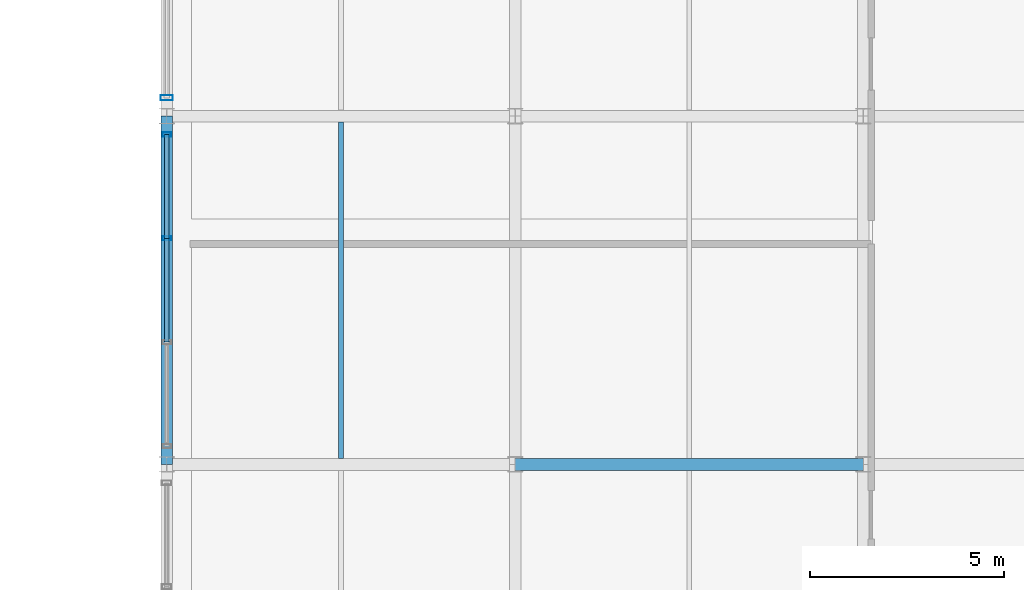
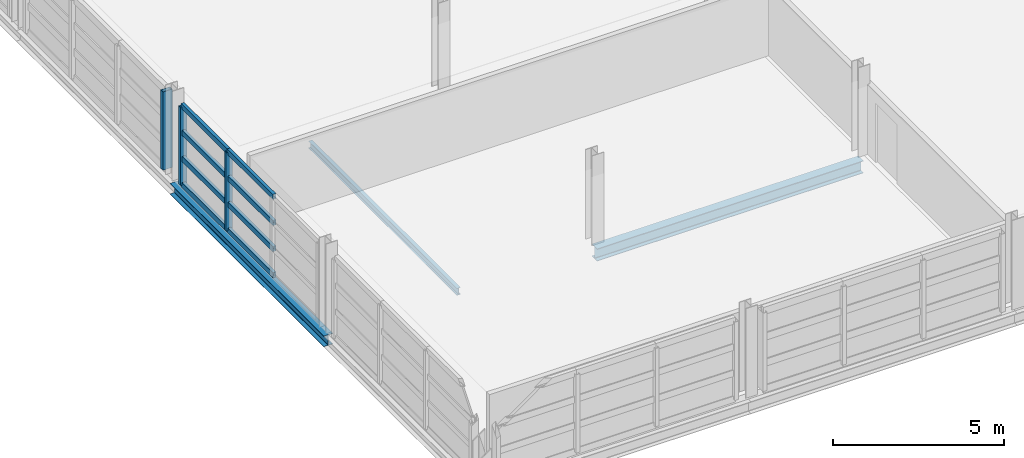
# One storey, part 40 of 86: 11 members, 3 beams, 2 elements without a shape of their own.
"""IFC4 building model written with IfcOpenShell, lengths in metres."""

from ifc_helpers import new_model, si_unit, direction, frame, origin, origin_2d, place, context, subcontext, project, spatial, hollow_rectangle, i_section, extrude, material, material_profile, profile_set, type_object, element, aggregate, save


model = new_model("IFC4")

# Units and contexts
model_context = context("Model", 3, precision=1e-05, world=origin(), true_north=direction((0.0, 1.0)))
body_context = subcontext(model_context, "Body", "Model", "MODEL_VIEW")
ifc_project = project(units=[si_unit("LENGTHUNIT", "METRE"), si_unit("AREAUNIT", "SQUARE_METRE"), si_unit("VOLUMEUNIT", "CUBIC_METRE"), si_unit("PLANEANGLEUNIT", "RADIAN"), si_unit("MASSUNIT", "GRAM", prefix="KILO")], contexts=[model_context])

# Site, building, storey
site_placement = place(None, origin())
site = spatial("IfcSite", under=ifc_project, at=site_placement, CompositionType="ELEMENT")
building_placement = place(site_placement, origin())
building = spatial("IfcBuilding", under=site, at=building_placement, Name="Chuanluo Vaults Station", CompositionType="ELEMENT")
storey_placement = place(building_placement, frame((0.0, 0.0, 14.39990234375)))
storey = spatial("IfcBuildingStorey", under=building, at=storey_placement, Name="L03", CompositionType="ELEMENT", Elevation=14.39990234375)

# Beams
ifc_material_1 = material(Name="Steel Q355C", Category="steel")
ifc_material_profile_1 = material_profile(ifc_material_1, i_section(OverallWidth=0.300048828125, OverallDepth=0.389892578125, WebThickness=0.010009765625, FlangeThickness=0.01611328125, FilletRadius=0.02001953125, at=origin_2d()))
ifc_profile_set_1 = profile_set([ifc_material_profile_1], Name="Steel Q355C")
beam_type_1 = type_object("IfcBeamType", Name="BM-GRD-400", PredefinedType="BEAM", material=ifc_profile_set_1)
beam_1_placement = place(storey_placement, frame((145.0, 76.5, -0.414794921875), z_axis=(0.0, 1.0, 0.0), x_axis=(-1.0, 0.0, 0.0)))
element("IfcBeam", 1, at=beam_1_placement, inside=storey, type_object=beam_type_1, Name="Floor girder BM:GY:L03:0790", PredefinedType="BEAM", context=body_context, shape_type="SweptSolid", body=[
    extrude(i_section(OverallWidth=0.300048828125, OverallDepth=0.389892578125, WebThickness=0.010009765625, FlangeThickness=0.01611328125, FilletRadius=0.02001953125, at=origin_2d()), origin(), (0.0, 0.0, 1.0), 9.0),
])
ifc_material_2 = material(Name="Steel Q355C", Category="steel")
ifc_material_profile_2 = material_profile(ifc_material_2, i_section(OverallWidth=0.300048828125, OverallDepth=0.43994140625, WebThickness=0.010986328125, FlangeThickness=0.01806640625, FilletRadius=0.02001953125, at=origin_2d()))
ifc_profile_set_2 = profile_set([ifc_material_profile_2], Name="Steel Q355C")
beam_type_2 = type_object("IfcBeamType", Name="BM-GRD-450", PredefinedType="USERDEFINED", material=ifc_profile_set_2)
beam_2_placement = place(storey_placement, frame((154.0, 76.5, -0.43994140625), z_axis=(1.0, 0.0, 0.0), x_axis=(0.0, 1.0, 0.0)))
element("IfcBeam", 2, at=beam_2_placement, inside=storey, type_object=beam_type_2, Name="Floor girder BM:GX:L03:0740", ObjectType="GIRDER", PredefinedType="USERDEFINED", context=body_context, shape_type="SweptSolid", body=[
    extrude(i_section(OverallWidth=0.300048828125, OverallDepth=0.43994140625, WebThickness=0.010986328125, FlangeThickness=0.01806640625, FilletRadius=0.02001953125, at=origin_2d()), origin(), (0.0, 0.0, 1.0), 9.0),
])
ifc_material_3 = material(Name="Steel Q355C", Category="steel")
ifc_material_profile_3 = material_profile(ifc_material_3, i_section(OverallWidth=0.125, OverallDepth=0.25, WebThickness=0.006103515625, FlangeThickness=0.009033203125, FilletRadius=0.011962890625, at=origin_2d()))
ifc_profile_set_3 = profile_set([ifc_material_profile_3], Name="Steel Q355C")
beam_type_3 = type_object("IfcBeamType", Name="BM-SEC-250", PredefinedType="JOIST", material=ifc_profile_set_3)
beam_3_placement = place(storey_placement, frame((149.5, 76.655029296875, -0.344970703125), z_axis=(0.0, 1.0, 0.0), x_axis=(-1.0, 0.0, 0.0)))
element("IfcBeam", 3, at=beam_3_placement, inside=storey, type_object=beam_type_3, Name="Composite secondary joist 0239", PredefinedType="JOIST", context=body_context, shape_type="SweptSolid", body=[
    extrude(i_section(OverallWidth=0.125, OverallDepth=0.25, WebThickness=0.006103515625, FlangeThickness=0.009033203125, FilletRadius=0.011962890625, at=origin_2d()), origin(), (0.0, 0.0, 1.0), 8.68994140625),
])

# Curtain wall, members
ifc_material_4 = material(Name="Anodised aluminium 6063-T6", Category="aluminium")
curtain_wall_type_1 = type_object("IfcCurtainWallType", Name="CW-SYS-24", PredefinedType="NOTDEFINED", material=ifc_material_4)
curtain_wall_1_placement = place(storey_placement, origin())
curtain_wall_1 = element("IfcCurtainWall", 4, at=curtain_wall_1_placement, inside=storey, type_object=curtain_wall_type_1, Name="Operations L03 facade CW", PredefinedType="NOTDEFINED")
ifc_material_5 = material(Name="Anodised aluminium 6063-T6", Category="aluminium")
ifc_material_profile_4 = material_profile(ifc_material_5, hollow_rectangle(XDim=0.10498046875, YDim=0.219970703125, WallThickness=0.006103515625, at=origin_2d()))
ifc_profile_set_4 = profile_set([ifc_material_profile_4], Name="Anodised aluminium 6063-T6")
member_type_1 = type_object("IfcMemberType", Name="CWM-140", PredefinedType="MULLION", material=ifc_profile_set_4)
member_1_placement = place(storey_placement, frame((145.0, 82.341796875, 0.0), z_axis=(0.0, 0.0, 1.0), x_axis=(0.0, 1.0, 0.0)))
member_1 = element("IfcMember", 5, at=member_1_placement, type_object=member_type_1, Name="Operations L03 facade CW mullion 3", PredefinedType="MULLION", context=body_context, shape_type="SweptSolid", body=[
    extrude(hollow_rectangle(XDim=0.10498046875, YDim=0.219970703125, WallThickness=0.006103515625, at=origin_2d()), origin(), (0.0, 0.0, 1.0), 2.800048828125),
])
member_2_placement = place(storey_placement, frame((145.0, 85.02490234375, 0.0), z_axis=(0.0, 0.0, 1.0), x_axis=(0.0, 1.0, 0.0)))
member_2 = element("IfcMember", 6, at=member_2_placement, type_object=member_type_1, Name="Operations L03 facade CW mullion 4", PredefinedType="MULLION", context=body_context, shape_type="SweptSolid", body=[
    extrude(hollow_rectangle(XDim=0.10498046875, YDim=0.219970703125, WallThickness=0.006103515625, at=origin_2d()), origin(), (0.0, 0.0, 1.0), 2.800048828125),
])

# Curtain wall, member
ifc_material_6 = material(Name="Anodised aluminium 6063-T6", Category="aluminium")
curtain_wall_type_2 = type_object("IfcCurtainWallType", Name="CW-SYS-25", PredefinedType="NOTDEFINED", material=ifc_material_6)
curtain_wall_2_placement = place(storey_placement, origin())
curtain_wall_2 = element("IfcCurtainWall", 7, at=curtain_wall_2_placement, inside=storey, type_object=curtain_wall_type_2, Name="Operations L03 facade CW", PredefinedType="NOTDEFINED")
ifc_material_7 = material(Name="Anodised aluminium 6063-T6", Category="aluminium")
ifc_material_profile_5 = material_profile(ifc_material_7, hollow_rectangle(XDim=0.139892578125, YDim=0.320068359375, WallThickness=0.008056640625, at=origin_2d()))
ifc_profile_set_5 = profile_set([ifc_material_profile_5], Name="Anodised aluminium 6063-T6")
member_type_2 = type_object("IfcMemberType", Name="CWM-220", PredefinedType="MULLION", material=ifc_profile_set_5)
member_3_placement = place(storey_placement, frame((145.0, 85.97509765625, 0.0), z_axis=(0.0, 0.0, 1.0), x_axis=(0.0, 1.0, 0.0)))
member_3 = element("IfcMember", 8, at=member_3_placement, type_object=member_type_2, Name="Operations L03 facade CW mullion 1", PredefinedType="MULLION", context=body_context, shape_type="SweptSolid", body=[
    extrude(hollow_rectangle(XDim=0.139892578125, YDim=0.320068359375, WallThickness=0.008056640625, at=origin_2d()), origin(), (0.0, 0.0, 1.0), 2.800048828125),
])
aggregate(curtain_wall_2, [member_3])

# Member
ifc_material_8 = material(Name="Anodised aluminium 6063-T6", Category="aluminium")
ifc_material_profile_6 = material_profile(ifc_material_8, hollow_rectangle(XDim=0.10498046875, YDim=0.18505859375, WallThickness=0.0048828125, at=origin_2d()))
ifc_profile_set_6 = profile_set([ifc_material_profile_6], Name="Anodised aluminium 6063-T6")
member_type_3 = type_object("IfcMemberType", Name="CWT-110", PredefinedType="USERDEFINED", material=ifc_profile_set_6)
member_4_placement = place(storey_placement, frame((145.0, 79.658203125, 0.0), z_axis=(0.0, 1.0, 0.0), x_axis=(-1.0, 0.0, 0.0)))
member_4 = element("IfcMember", 9, at=member_4_placement, type_object=member_type_3, Name="Operations L03 facade CW transom 2.1", ObjectType="TRANSOM", PredefinedType="USERDEFINED", context=body_context, shape_type="SweptSolid", body=[
    extrude(hollow_rectangle(XDim=0.10498046875, YDim=0.18505859375, WallThickness=0.0048828125, at=origin_2d()), origin(), (0.0, 0.0, 1.0), 2.68359375),
])

member_5_placement = place(storey_placement, frame((145.0, 79.658203125, 0.933349609375), z_axis=(0.0, 1.0, 0.0), x_axis=(-1.0, 0.0, 0.0)))
member_5 = element("IfcMember", 10, at=member_5_placement, type_object=member_type_3, Name="Operations L03 facade CW transom 2.2", ObjectType="TRANSOM", PredefinedType="USERDEFINED", context=body_context, shape_type="SweptSolid", body=[
    extrude(hollow_rectangle(XDim=0.10498046875, YDim=0.18505859375, WallThickness=0.0048828125, at=origin_2d()), origin(), (0.0, 0.0, 1.0), 2.68359375),
])

member_6_placement = place(storey_placement, frame((145.0, 79.658203125, 1.86669921875), z_axis=(0.0, 1.0, 0.0), x_axis=(-1.0, 0.0, 0.0)))
member_6 = element("IfcMember", 11, at=member_6_placement, type_object=member_type_3, Name="Operations L03 facade CW transom 2.3", ObjectType="TRANSOM", PredefinedType="USERDEFINED", context=body_context, shape_type="SweptSolid", body=[
    extrude(hollow_rectangle(XDim=0.10498046875, YDim=0.18505859375, WallThickness=0.0048828125, at=origin_2d()), origin(), (0.0, 0.0, 1.0), 2.68359375),
])

member_7_placement = place(storey_placement, frame((145.0, 79.658203125, 2.800048828125), z_axis=(0.0, 1.0, 0.0), x_axis=(-1.0, 0.0, 0.0)))
member_7 = element("IfcMember", 12, at=member_7_placement, type_object=member_type_3, Name="Operations L03 facade CW transom 2.4", ObjectType="TRANSOM", PredefinedType="USERDEFINED", context=body_context, shape_type="SweptSolid", body=[
    extrude(hollow_rectangle(XDim=0.10498046875, YDim=0.18505859375, WallThickness=0.0048828125, at=origin_2d()), origin(), (0.0, 0.0, 1.0), 2.68359375),
])

member_8_placement = place(storey_placement, frame((145.0, 82.341796875, 0.0), z_axis=(0.0, 1.0, 0.0), x_axis=(-1.0, 0.0, 0.0)))
member_8 = element("IfcMember", 13, at=member_8_placement, type_object=member_type_3, Name="Operations L03 facade CW transom 3.1", ObjectType="TRANSOM", PredefinedType="USERDEFINED", context=body_context, shape_type="SweptSolid", body=[
    extrude(hollow_rectangle(XDim=0.10498046875, YDim=0.18505859375, WallThickness=0.0048828125, at=origin_2d()), origin(), (0.0, 0.0, 1.0), 2.68310546875),
])

member_9_placement = place(storey_placement, frame((145.0, 82.341796875, 0.933349609375), z_axis=(0.0, 1.0, 0.0), x_axis=(-1.0, 0.0, 0.0)))
member_9 = element("IfcMember", 14, at=member_9_placement, type_object=member_type_3, Name="Operations L03 facade CW transom 3.2", ObjectType="TRANSOM", PredefinedType="USERDEFINED", context=body_context, shape_type="SweptSolid", body=[
    extrude(hollow_rectangle(XDim=0.10498046875, YDim=0.18505859375, WallThickness=0.0048828125, at=origin_2d()), origin(), (0.0, 0.0, 1.0), 2.68310546875),
])

member_10_placement = place(storey_placement, frame((145.0, 82.341796875, 1.86669921875), z_axis=(0.0, 1.0, 0.0), x_axis=(-1.0, 0.0, 0.0)))
member_10 = element("IfcMember", 15, at=member_10_placement, type_object=member_type_3, Name="Operations L03 facade CW transom 3.3", ObjectType="TRANSOM", PredefinedType="USERDEFINED", context=body_context, shape_type="SweptSolid", body=[
    extrude(hollow_rectangle(XDim=0.10498046875, YDim=0.18505859375, WallThickness=0.0048828125, at=origin_2d()), origin(), (0.0, 0.0, 1.0), 2.68310546875),
])

member_11_placement = place(storey_placement, frame((145.0, 82.341796875, 2.800048828125), z_axis=(0.0, 1.0, 0.0), x_axis=(-1.0, 0.0, 0.0)))
member_11 = element("IfcMember", 16, at=member_11_placement, type_object=member_type_3, Name="Operations L03 facade CW transom 3.4", ObjectType="TRANSOM", PredefinedType="USERDEFINED", context=body_context, shape_type="SweptSolid", body=[
    extrude(hollow_rectangle(XDim=0.10498046875, YDim=0.18505859375, WallThickness=0.0048828125, at=origin_2d()), origin(), (0.0, 0.0, 1.0), 2.68310546875),
])

aggregate(curtain_wall_1, [member_1, member_2, member_4, member_5, member_6, member_7, member_8, member_9, member_10, member_11])

save(model, "model.ifc")
